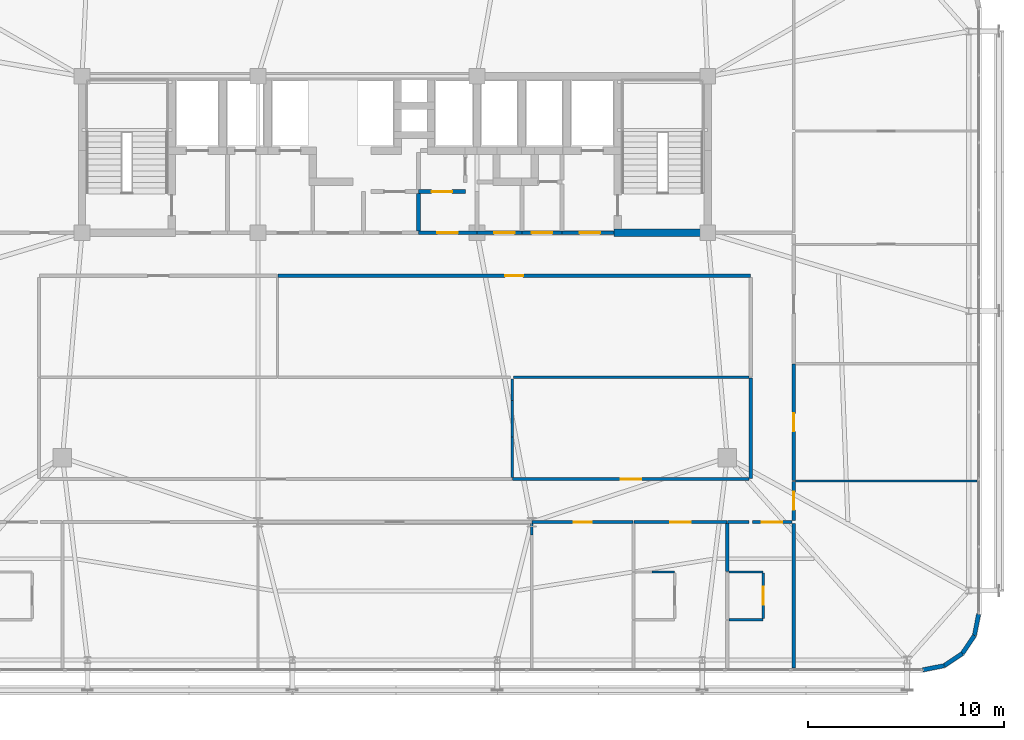
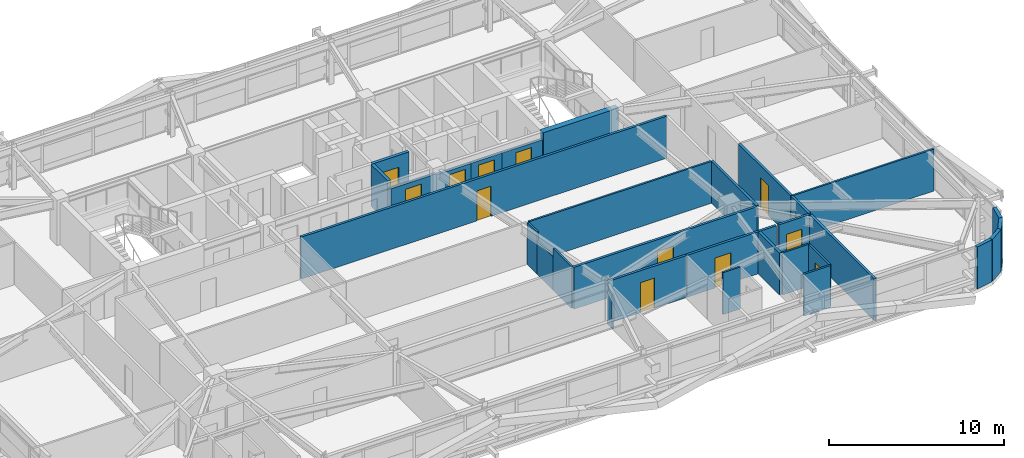
# One storey, part 54 of 59: 32 walls, 13 doors, 13 openings.
"""IFC4 building model written with IfcOpenShell, lengths in metres."""

from ifc_helpers import new_model, si_unit, direction, frame, frame_2d, origin, place, context, subcontext, project, spatial, rectangle, extrude, source, transform, mapped, material, layer, layer_set, type_object, element, fill, save


model = new_model("IFC4")

# Units and contexts
model_context = context("Model", 3, precision=1e-05, world=origin(), true_north=direction((0.0, 1.0)))
body_context = subcontext(model_context, "Body", "Model", "MODEL_VIEW")
ifc_project = project(units=[si_unit("LENGTHUNIT", "METRE"), si_unit("AREAUNIT", "SQUARE_METRE"), si_unit("VOLUMEUNIT", "CUBIC_METRE"), si_unit("PLANEANGLEUNIT", "RADIAN"), si_unit("MASSUNIT", "GRAM", prefix="KILO")], contexts=[model_context])

# Site, building, storey
site_placement = place(None, origin())
site = spatial("IfcSite", under=ifc_project, at=site_placement, CompositionType="ELEMENT")
building_placement = place(site_placement, origin())
building = spatial("IfcBuilding", under=site, at=building_placement, Name="Taldren Reach Tower", CompositionType="ELEMENT")
storey_placement = place(building_placement, frame((0.0, 0.0, 26.25)))
storey = spatial("IfcBuildingStorey", under=building, at=storey_placement, Name="L07", CompositionType="ELEMENT", Elevation=26.25)

# Walls
ifc_material_1 = material(Name="Pale Champagne Anodised Aluminium Cladding", Category="aluminium")
ifc_layer_1 = layer(ifc_material_1, 0.04, Name="Pale Champagne Anodised Aluminium Cladding", Category="aluminium")
ifc_material_2 = material(Name="Mineral Wool Acoustic Insulation", Category="insulation")
ifc_layer_2 = layer(ifc_material_2, 0.06, Name="Mineral Wool Acoustic Insulation", Category="insulation")
ifc_material_3 = material(Name="Steel Gr 350 (C350L0)", Category="steel")
ifc_layer_3 = layer(ifc_material_3, 0.12, Name="Steel Gr 350 (C350L0)", Category="steel")
ifc_layer_set_1 = layer_set([ifc_layer_1, ifc_layer_2, ifc_layer_3], Name="Pale Champagne Aluminium Cladding and Steel Gr 350 Stud Framing")
wall_type_1 = type_object("IfcWallType", Name="EW-CRN-220", PredefinedType="SOLIDWALL", material=ifc_layer_set_1)
shared_shape_1 = source(origin(), body_context, "Body", "SweptSolid", [
    extrude(rectangle(XDim=1.115966796875, YDim=0.219970703125, at=frame_2d((0.55810546875, 0.0))), origin(), (0.0, 0.0, 1.0), 2.929931640625),
])
for number, where, z_axis, x_axis, name in (
    (1, (62.0, 1.639892578125, 0.0), (0.0, 0.0, 1.0), (0.98077373103, 0.195148375659, 0.0), "Rounded-corner pale-metal facade wall L07-SE1"),
    (2, (63.094482421875, 1.857666015625, 0.0), (0.0, 0.0, 1.0), (0.83137650226, 0.555709556774, 0.0), "Rounded-corner pale-metal facade wall L07-SE2"),
    (3, (64.022216796875, 2.477783203125, 0.0), (0.0, 0.0, 1.0), (0.555709556774, 0.83137650226, 0.0), "Rounded-corner pale-metal facade wall L07-SE3"),
    (4, (64.642333984375, 3.405517578125, 0.0), (0.0, 0.0, 1.0), (0.195148375659, 0.98077373103, 0.0), "Rounded-corner pale-metal facade wall L07-SE4"),
):
    element("IfcWall", number, at=place(storey_placement, frame(where, z_axis=z_axis, x_axis=x_axis)), inside=storey, type_object=wall_type_1, Name=name, PredefinedType="SOLIDWALL", context=body_context, shape_type="MappedRepresentation", body=[
        mapped(shared_shape_1, transform((0.0, 0.0, 0.0), scale=1.0)),
    ])
ifc_material_4 = material(Name="Concrete S80 (80 MPa)", Category="concrete")
ifc_layer_4 = layer(ifc_material_4, 0.3798828125)
ifc_layer_set_2 = layer_set([ifc_layer_4], Name="Concrete S80 (80 MPa)")
wall_type_2 = type_object("IfcWallType", Name="IW-CORE-380", PredefinedType="SHEAR", material=ifc_layer_set_2)
shared_shape_2 = source(origin(), body_context, "Body", "SweptSolid", [
    extrude(rectangle(XDim=4.97998046875, YDim=0.3798828125, at=frame_2d((2.489990234375, 0.0))), origin(), (0.0, 0.0, 1.0), 2.929931640625),
])
wall_1_placement = place(storey_placement, frame((46.2099609375, 24.0, 0.0), z_axis=(0.0, 0.0, 1.0), x_axis=(1.0, 0.0, 0.0)))
element("IfcWall", 5, at=wall_1_placement, inside=storey, type_object=wall_type_2, Name="Rear Core Shear Wall W-INT-L07-010", PredefinedType="SHEAR", context=body_context, shape_type="MappedRepresentation", body=[
    mapped(shared_shape_2, transform((0.0, 0.0, 0.0), scale=1.0)),
])

# Wall, opening, door
ifc_material_5 = material(Name="Concrete S50 (50 MPa)", Category="concrete")
ifc_layer_5 = layer(ifc_material_5, 0.199951171875)
ifc_layer_set_3 = layer_set([ifc_layer_5], Name="Concrete S50 (50 MPa)")
wall_type_3 = type_object("IfcWallType", Name="IW-CORE-200", PredefinedType="SOLIDWALL", material=ifc_layer_set_3)
shared_shape_3 = source(origin(), body_context, "Body", "SweptSolid", [
    extrude(rectangle(XDim=2.659912109375, YDim=0.199951171875, at=frame_2d((1.330078125, 0.0))), origin(), (0.0, 0.0, 1.0), 2.39697265625),
])
wall_2_placement = place(storey_placement, frame((43.550048828125, 24.0, 0.0), z_axis=(0.0, 0.0, 1.0), x_axis=(1.0, 0.0, 0.0)))
wall_2 = element("IfcWall", 6, at=wall_2_placement, inside=storey, type_object=wall_type_3, Name="Rear Core Shear Wall W-INT-L07-015", PredefinedType="SOLIDWALL", context=body_context, shape_type="MappedRepresentation", body=[
    mapped(shared_shape_3, transform((0.0, 0.0, 0.0), scale=1.0)),
])
shared_shape_4 = source(origin(), body_context, "Body", "SweptSolid", [
    extrude(rectangle(XDim=1.050048828125, YDim=2.10009765625, at=frame_2d((0.52490234375, 1.050048828125))), frame((0.0, 0.10986328125, 0.0), z_axis=(0.0, -1.0, 0.0), x_axis=(1.0, 0.0, 0.0)), (0.0, 0.0, 1.0), 0.219970703125),
])
opening_1_placement = place(wall_2_placement, frame((0.89990234375, 0.0, 0.0)))
opening_1 = element("IfcOpeningElement", 7, at=opening_1_placement, cuts=wall_2, Name="Opening DF-105", PredefinedType="OPENING", context=body_context, shape_type="MappedRepresentation", body=[
    mapped(shared_shape_4, transform((0.0, 0.0, 0.0), scale=1.0)),
])
ifc_material_6 = material(Name="Fire-Rated Care and Stair Exit Door")
door_type_1 = type_object("IfcDoorType", Name="ID-FIRE-105", OperationType="NOTDEFINED", PredefinedType="DOOR", material=ifc_material_6)
shared_shape_5 = source(origin(), body_context, "Body", "SweptSolid", [
    extrude(rectangle(XDim=1.050048828125, YDim=2.10009765625, at=frame_2d((0.52490234375, 1.050048828125))), frame((0.0, 0.02490234375, 0.0), z_axis=(0.0, -1.0, 0.0), x_axis=(1.0, 0.0, 0.0)), (0.0, 0.0, 1.0), 0.050048828125),
])
door_1_placement = place(opening_1_placement, origin())
door_1 = element("IfcDoor", 8, at=door_1_placement, inside=storey, type_object=door_type_1, Name="Interior Door DR-L07-004", OperationType="SINGLE_SWING_LEFT", OverallHeight=2.10009765625, OverallWidth=1.050048828125, PredefinedType="DOOR", context=body_context, shape_type="MappedRepresentation", body=[
    mapped(shared_shape_5, transform((0.0, 0.0, 0.0), scale=1.0)),
])
fill(opening_1, door_1)

ifc_material_7 = material(Name="Fire-Rated Acoustic Plasterboard Stud Wall", Category="gypsum")
ifc_layer_6 = layer(ifc_material_7, 0.159912109375)
ifc_layer_set_4 = layer_set([ifc_layer_6], Name="Fire-Rated Acoustic Plasterboard Stud Wall")
wall_type_4 = type_object("IfcWallType", Name="IW-FIRE-160", PredefinedType="PARTITIONING", material=ifc_layer_set_4)
shared_shape_6 = source(origin(), body_context, "Body", "SweptSolid", [
    extrude(rectangle(XDim=2.0400390625, YDim=0.159912109375, at=frame_2d((1.02001953125, 0.0))), origin(), (0.0, 0.0, 1.0), 2.929931640625),
])
wall_3_placement = place(storey_placement, frame((55.320068359375, 9.199951171875, 0.0), z_axis=(0.0, 0.0, 1.0), x_axis=(-1.0, 0.0, 0.0)))
wall_3 = element("IfcWall", 9, at=wall_3_placement, inside=storey, type_object=wall_type_4, Name="Interior Partition Wall W-INT-L07-067", PredefinedType="PARTITIONING", context=body_context, shape_type="MappedRepresentation", body=[
    mapped(shared_shape_6, transform((0.0, 0.0, 0.0), scale=1.0)),
])
shared_shape_7 = source(origin(), body_context, "Body", "SweptSolid", [
    extrude(rectangle(XDim=1.050048828125, YDim=2.10009765625, at=frame_2d((0.52490234375, 1.050048828125))), frame((0.0, 0.08984375, 0.0), z_axis=(0.0, -1.0, 0.0), x_axis=(1.0, 0.0, 0.0)), (0.0, 0.0, 1.0), 0.179931640625),
])
opening_2_placement = place(wall_3_placement, frame((0.4951171875, 0.0, 0.0)))
opening_2 = element("IfcOpeningElement", 10, at=opening_2_placement, cuts=wall_3, Name="Opening DF-105", PredefinedType="OPENING", context=body_context, shape_type="MappedRepresentation", body=[
    mapped(shared_shape_7, transform((0.0, 0.0, 0.0), scale=1.0)),
])
door_2_placement = place(opening_2_placement, origin())
door_2 = element("IfcDoor", 11, at=door_2_placement, inside=storey, type_object=door_type_1, Name="Interior Door DR-L07-017", OperationType="SINGLE_SWING_RIGHT", OverallHeight=2.10009765625, OverallWidth=1.050048828125, PredefinedType="DOOR", context=body_context, shape_type="MappedRepresentation", body=[
    mapped(shared_shape_5, transform((0.0, 0.0, 0.0), scale=1.0)),
])
fill(opening_2, door_2)

# Walls
shared_shape_8 = source(origin(), body_context, "Body", "SweptSolid", [
    extrude(rectangle(XDim=5.15966796875, YDim=0.159912109375, at=frame_2d((2.579833984375, 0.0))), origin(), (0.0, 0.0, 1.0), 2.929931640625),
])
wall_4_placement = place(storey_placement, frame((53.199951171875, 11.420166015625, 0.0), z_axis=(0.0, 0.0, 1.0), x_axis=(0.0, 1.0, 0.0)))
element("IfcWall", 12, at=wall_4_placement, inside=storey, type_object=wall_type_4, Name="Interior Partition Wall W-INT-L07-061", PredefinedType="PARTITIONING", context=body_context, shape_type="MappedRepresentation", body=[
    mapped(shared_shape_8, transform((0.0, 0.0, 0.0), scale=1.0)),
])
shared_shape_9 = source(origin(), body_context, "Body", "SweptSolid", [
    extrude(rectangle(XDim=1.099853515625, YDim=0.159912109375, at=frame_2d((0.5498046875, 0.0))), origin(), (0.0, 0.0, 1.0), 2.929931640625),
])
wall_5_placement = place(storey_placement, frame((53.1201171875, 9.199951171875, 0.0), z_axis=(0.0, 0.0, 1.0), x_axis=(-1.0, 0.0, 0.0)))
element("IfcWall", 13, at=wall_5_placement, inside=storey, type_object=wall_type_4, Name="Interior Partition Wall W-INT-L07-084", PredefinedType="PARTITIONING", context=body_context, shape_type="MappedRepresentation", body=[
    mapped(shared_shape_9, transform((0.0, 0.0, 0.0), scale=1.0)),
])

# Wall, opening, door
shared_shape_10 = source(origin(), body_context, "Body", "SweptSolid", [
    extrude(rectangle(XDim=4.759521484375, YDim=0.159912109375, at=frame_2d((2.3798828125, 0.0))), origin(), (0.0, 0.0, 1.0), 2.929931640625),
])
wall_6_placement = place(storey_placement, frame((51.979736328125, 9.199951171875, 0.0), z_axis=(0.0, 0.0, 1.0), x_axis=(-1.0, 0.0, 0.0)))
wall_6 = element("IfcWall", 14, at=wall_6_placement, inside=storey, type_object=wall_type_4, Name="Interior Partition Wall W-INT-L07-083", PredefinedType="PARTITIONING", context=body_context, shape_type="MappedRepresentation", body=[
    mapped(shared_shape_10, transform((0.0, 0.0, 0.0), scale=1.0)),
])
opening_3_placement = place(wall_6_placement, frame((1.854736328125, 0.0, 0.0)))
opening_3 = element("IfcOpeningElement", 15, at=opening_3_placement, cuts=wall_6, Name="Opening DF-105", PredefinedType="OPENING", context=body_context, shape_type="MappedRepresentation", body=[
    mapped(shared_shape_7, transform((0.0, 0.0, 0.0), scale=1.0)),
])
door_3_placement = place(opening_3_placement, origin())
door_3 = element("IfcDoor", 16, at=door_3_placement, inside=storey, type_object=door_type_1, Name="Interior Door DR-L07-030", OperationType="SINGLE_SWING_LEFT", OverallHeight=2.10009765625, OverallWidth=1.050048828125, PredefinedType="DOOR", context=body_context, shape_type="MappedRepresentation", body=[
    mapped(shared_shape_5, transform((0.0, 0.0, 0.0), scale=1.0)),
])
fill(opening_3, door_3)

shared_shape_11 = source(origin(), body_context, "Body", "SweptSolid", [
    extrude(rectangle(XDim=5.159423828125, YDim=0.159912109375, at=frame_2d((2.57958984375, 0.0))), origin(), (0.0, 0.0, 1.0), 2.929931640625),
])
wall_7_placement = place(storey_placement, frame((47.1796875, 9.199951171875, 0.0), z_axis=(0.0, 0.0, 1.0), x_axis=(-1.0, 0.0, 0.0)))
wall_7 = element("IfcWall", 17, at=wall_7_placement, inside=storey, type_object=wall_type_4, Name="Interior Partition Wall W-INT-L07-082", PredefinedType="PARTITIONING", context=body_context, shape_type="MappedRepresentation", body=[
    mapped(shared_shape_11, transform((0.0, 0.0, 0.0), scale=1.0)),
])
shared_shape_12 = source(origin(), body_context, "Body", "SweptSolid", [
    extrude(rectangle(XDim=0.919921875, YDim=2.10009765625, at=frame_2d((0.4599609375, 1.050048828125))), frame((0.0, 0.08984375, 0.0), z_axis=(0.0, -1.0, 0.0), x_axis=(1.0, 0.0, 0.0)), (0.0, 0.0, 1.0), 0.179931640625),
])
opening_4_placement = place(wall_7_placement, frame((2.119873046875, 0.0, 0.0)))
opening_4 = element("IfcOpeningElement", 18, at=opening_4_placement, cuts=wall_7, Name="Opening DI-092", PredefinedType="OPENING", context=body_context, shape_type="MappedRepresentation", body=[
    mapped(shared_shape_12, transform((0.0, 0.0, 0.0), scale=1.0)),
])
ifc_material_8 = material(Name="Solid-Core Timber Suite Door", Category="wood")
door_type_2 = type_object("IfcDoorType", Name="ID-INT-092", OperationType="NOTDEFINED", PredefinedType="DOOR", material=ifc_material_8)
shared_shape_13 = source(origin(), body_context, "Body", "SweptSolid", [
    extrude(rectangle(XDim=0.919921875, YDim=2.10009765625, at=frame_2d((0.4599609375, 1.050048828125))), frame((0.0, 0.02490234375, 0.0), z_axis=(0.0, -1.0, 0.0), x_axis=(1.0, 0.0, 0.0)), (0.0, 0.0, 1.0), 0.050048828125),
])
door_4_placement = place(opening_4_placement, origin())
door_4 = element("IfcDoor", 19, at=door_4_placement, inside=storey, type_object=door_type_2, Name="Interior Door DR-L07-029", OperationType="SINGLE_SWING_RIGHT", OverallHeight=2.10009765625, OverallWidth=0.919921875, PredefinedType="DOOR", context=body_context, shape_type="MappedRepresentation", body=[
    mapped(shared_shape_13, transform((0.0, 0.0, 0.0), scale=1.0)),
])
fill(opening_4, door_4)

ifc_material_9 = material(Name="Insulated Residential Stud Partition", Category="gypsum")
ifc_layer_7 = layer(ifc_material_9, 0.1201171875)
ifc_layer_set_5 = layer_set([ifc_layer_7], Name="Insulated Residential Stud Partition")
wall_type_5 = type_object("IfcWallType", Name="IW-PART-120", PredefinedType="PARTITIONING", material=ifc_layer_set_5)
shared_shape_14 = source(origin(), body_context, "Body", "SweptSolid", [
    extrude(rectangle(XDim=2.330078125, YDim=0.1201171875, at=frame_2d((1.1650390625, 0.0))), origin(), (0.0, 0.0, 1.0), 2.929931640625),
])
wall_8_placement = place(storey_placement, frame((53.85009765625, 4.260009765625, 0.0), z_axis=(0.0, 0.0, 1.0), x_axis=(0.0, 1.0, 0.0)))
wall_8 = element("IfcWall", 20, at=wall_8_placement, inside=storey, type_object=wall_type_5, Name="Interior Partition Wall W-INT-L07-108", PredefinedType="PARTITIONING", context=body_context, shape_type="MappedRepresentation", body=[
    mapped(shared_shape_14, transform((0.0, 0.0, 0.0), scale=1.0)),
])
shared_shape_15 = source(origin(), body_context, "Body", "SweptSolid", [
    extrude(rectangle(XDim=0.919921875, YDim=2.10009765625, at=frame_2d((0.4599609375, 1.050048828125))), frame((0.0, 0.070068359375, 0.0), z_axis=(0.0, -1.0, 0.0), x_axis=(1.0, 0.0, 0.0)), (0.0, 0.0, 1.0), 0.14013671875),
])
opening_5_placement = place(wall_8_placement, frame((0.705078125, 0.0, 0.0)))
opening_5 = element("IfcOpeningElement", 21, at=opening_5_placement, cuts=wall_8, Name="Opening DI-092", PredefinedType="OPENING", context=body_context, shape_type="MappedRepresentation", body=[
    mapped(shared_shape_15, transform((0.0, 0.0, 0.0), scale=1.0)),
])
door_5_placement = place(opening_5_placement, origin())
door_5 = element("IfcDoor", 22, at=door_5_placement, inside=storey, type_object=door_type_2, Name="Interior Door DR-L07-033", OperationType="SINGLE_SWING_RIGHT", OverallHeight=2.10009765625, OverallWidth=0.919921875, PredefinedType="DOOR", context=body_context, shape_type="MappedRepresentation", body=[
    mapped(shared_shape_13, transform((0.0, 0.0, 0.0), scale=1.0)),
])
fill(opening_5, door_5)

# Walls
shared_shape_16 = source(origin(), body_context, "Body", "SweptSolid", [
    extrude(rectangle(XDim=1.749755859375, YDim=0.1201171875, at=frame_2d((0.875, 0.0))), origin(), (0.0, 0.0, 1.0), 2.929931640625),
])
for number, where, z_axis, x_axis, name in (
    (23, (52.080078125, 4.199951171875, 0.0), (0.0, 0.0, 1.0), (1.0, 0.0, 0.0), "Interior Partition Wall W-INT-L07-109"),
    (24, (53.829833984375, 6.64990234375, 0.0), (0.0, 0.0, 1.0), (-1.0, 0.0, 0.0), "Interior Partition Wall W-INT-L07-110"),
):
    element("IfcWall", number, at=place(storey_placement, frame(where, z_axis=z_axis, x_axis=x_axis)), inside=storey, type_object=wall_type_5, Name=name, PredefinedType="PARTITIONING", context=body_context, shape_type="MappedRepresentation", body=[
        mapped(shared_shape_16, transform((0.0, 0.0, 0.0), scale=1.0)),
    ])
shared_shape_17 = source(origin(), body_context, "Body", "SweptSolid", [
    extrude(rectangle(XDim=2.44775390625, YDim=0.159912109375, at=frame_2d((1.223876953125, 0.0))), origin(), (0.0, 0.0, 1.0), 2.929931640625),
])
wall_9_placement = place(storey_placement, frame((52.0, 9.117919921875, 0.0), z_axis=(0.0, 0.0, 1.0), x_axis=(0.0, -1.0, 0.0)))
element("IfcWall", 25, at=wall_9_placement, inside=storey, type_object=wall_type_4, Name="Interior Partition Wall W-INT-L07-106", PredefinedType="PARTITIONING", context=body_context, shape_type="MappedRepresentation", body=[
    mapped(shared_shape_17, transform((0.0, 0.0, 0.0), scale=1.0)),
])
shared_shape_18 = source(origin(), body_context, "Body", "SweptSolid", [
    extrude(rectangle(XDim=7.385986328125, YDim=0.159912109375, at=frame_2d((3.69287109375, 0.0))), origin(), (0.0, 0.0, 1.0), 2.929931640625),
])
wall_10_placement = place(storey_placement, frame((55.39990234375, 9.117919921875, 0.0), z_axis=(0.0, 0.0, 1.0), x_axis=(0.0, -1.0, 0.0)))
element("IfcWall", 26, at=wall_10_placement, inside=storey, type_object=wall_type_4, Name="Interior Partition Wall W-INT-L07-111", PredefinedType="PARTITIONING", context=body_context, shape_type="MappedRepresentation", body=[
    mapped(shared_shape_18, transform((0.0, 0.0, 0.0), scale=1.0)),
])
shared_shape_19 = source(origin(), body_context, "Body", "SweptSolid", [
    extrude(rectangle(XDim=9.2900390625, YDim=0.1201171875, at=frame_2d((4.64501953125, 0.0))), origin(), (0.0, 0.0, 1.0), 2.929931640625),
])
wall_11_placement = place(storey_placement, frame((55.47998046875, 11.300048828125, 0.0), z_axis=(0.0, 0.0, 1.0), x_axis=(1.0, 0.0, 0.0)))
element("IfcWall", 27, at=wall_11_placement, inside=storey, type_object=wall_type_5, Name="Interior Partition Wall W-INT-L07-117", PredefinedType="PARTITIONING", context=body_context, shape_type="MappedRepresentation", body=[
    mapped(shared_shape_19, transform((0.0, 0.0, 0.0), scale=1.0)),
])
shared_shape_20 = source(origin(), body_context, "Body", "SweptSolid", [
    extrude(rectangle(XDim=1.89990234375, YDim=0.199951171875, at=frame_2d((0.949951171875, 0.0))), origin(), (0.0, 0.0, 1.0), 2.929931640625),
])
wall_12_placement = place(storey_placement, frame((36.199951171875, 26.0, 0.0), z_axis=(0.0, 0.0, 1.0), x_axis=(0.0, -1.0, 0.0)))
element("IfcWall", 28, at=wall_12_placement, inside=storey, type_object=wall_type_3, Name="Rear Core Shear Wall W-INT-L07-047", PredefinedType="SOLIDWALL", context=body_context, shape_type="MappedRepresentation", body=[
    mapped(shared_shape_20, transform((0.0, 0.0, 0.0), scale=1.0)),
])

# Wall, opening, door
shared_shape_21 = source(origin(), body_context, "Body", "SweptSolid", [
    extrude(rectangle(XDim=2.420166015625, YDim=0.199951171875, at=frame_2d((1.2099609375, 0.0))), origin(), (0.0, 0.0, 1.0), 2.929931640625),
])
wall_13_placement = place(storey_placement, frame((36.199951171875, 26.10009765625, 0.0), z_axis=(0.0, 0.0, 1.0), x_axis=(1.0, 0.0, 0.0)))
wall_13 = element("IfcWall", 29, at=wall_13_placement, inside=storey, type_object=wall_type_3, Name="Rear Core Shear Wall W-INT-L07-051", PredefinedType="SOLIDWALL", context=body_context, shape_type="MappedRepresentation", body=[
    mapped(shared_shape_21, transform((0.0, 0.0, 0.0), scale=1.0)),
])
opening_6_placement = place(wall_13_placement, frame((0.68505859375, 0.0, 0.0)))
opening_6 = element("IfcOpeningElement", 30, at=opening_6_placement, cuts=wall_13, Name="Opening DF-105", PredefinedType="OPENING", context=body_context, shape_type="MappedRepresentation", body=[
    mapped(shared_shape_4, transform((0.0, 0.0, 0.0), scale=1.0)),
])
door_6_placement = place(opening_6_placement, origin())
door_6 = element("IfcDoor", 31, at=door_6_placement, inside=storey, type_object=door_type_1, Name="Interior Door DR-L07-009", OperationType="SINGLE_SWING_RIGHT", OverallHeight=2.10009765625, OverallWidth=1.050048828125, PredefinedType="DOOR", context=body_context, shape_type="MappedRepresentation", body=[
    mapped(shared_shape_5, transform((0.0, 0.0, 0.0), scale=1.0)),
])
fill(opening_6, door_6)

shared_shape_22 = source(origin(), body_context, "Body", "SweptSolid", [
    extrude(rectangle(XDim=3.0, YDim=0.199951171875, at=frame_2d((1.5, 0.0))), origin(), (0.0, 0.0, 1.0), 2.469970703125),
])
wall_14_placement = place(storey_placement, frame((39.199951171875, 24.0, 0.0), z_axis=(0.0, 0.0, 1.0), x_axis=(-1.0, 0.0, 0.0)))
wall_14 = element("IfcWall", 32, at=wall_14_placement, inside=storey, type_object=wall_type_3, Name="Rear Core Shear Wall W-INT-L07-053", PredefinedType="SOLIDWALL", context=body_context, shape_type="MappedRepresentation", body=[
    mapped(shared_shape_22, transform((0.0, 0.0, 0.0), scale=1.0)),
])
opening_7_placement = place(wall_14_placement, frame((0.97509765625, 0.0, 0.0)))
opening_7 = element("IfcOpeningElement", 33, at=opening_7_placement, cuts=wall_14, Name="Opening DF-105", PredefinedType="OPENING", context=body_context, shape_type="MappedRepresentation", body=[
    mapped(shared_shape_4, transform((0.0, 0.0, 0.0), scale=1.0)),
])
door_7_placement = place(opening_7_placement, frame((1.050048828125, 0.0, 0.0), z_axis=(0.0, 0.0, 1.0), x_axis=(-1.0, 0.0, 0.0)))
door_7 = element("IfcDoor", 34, at=door_7_placement, inside=storey, type_object=door_type_1, Name="Interior Door DR-L07-010", OperationType="SINGLE_SWING_RIGHT", OverallHeight=2.10009765625, OverallWidth=1.050048828125, PredefinedType="DOOR", context=body_context, shape_type="MappedRepresentation", body=[
    mapped(shared_shape_5, transform((0.0, 0.0, 0.0), scale=1.0)),
])
fill(opening_7, door_7)

shared_shape_23 = source(origin(), body_context, "Body", "SweptSolid", [
    extrude(rectangle(XDim=2.300048828125, YDim=0.199951171875, at=frame_2d((1.14990234375, 0.0))), origin(), (0.0, 0.0, 1.0), 2.39697265625),
])
wall_15_placement = place(storey_placement, frame((41.5, 24.0, 0.0), z_axis=(0.0, 0.0, 1.0), x_axis=(-1.0, 0.0, 0.0)))
wall_15 = element("IfcWall", 35, at=wall_15_placement, inside=storey, type_object=wall_type_3, Name="Rear Core Shear Wall W-INT-L07-057", PredefinedType="SOLIDWALL", context=body_context, shape_type="MappedRepresentation", body=[
    mapped(shared_shape_23, transform((0.0, 0.0, 0.0), scale=1.0)),
])
opening_8_placement = place(wall_15_placement, frame((0.375, 0.0, 0.0)))
opening_8 = element("IfcOpeningElement", 36, at=opening_8_placement, cuts=wall_15, Name="Opening DF-105", PredefinedType="OPENING", context=body_context, shape_type="MappedRepresentation", body=[
    mapped(shared_shape_4, transform((0.0, 0.0, 0.0), scale=1.0)),
])
door_8_placement = place(opening_8_placement, frame((1.050048828125, 0.0, 0.0), z_axis=(0.0, 0.0, 1.0), x_axis=(-1.0, 0.0, 0.0)))
door_8 = element("IfcDoor", 37, at=door_8_placement, inside=storey, type_object=door_type_1, Name="Interior Door DR-L07-011", OperationType="SINGLE_SWING_RIGHT", OverallHeight=2.10009765625, OverallWidth=1.050048828125, PredefinedType="DOOR", context=body_context, shape_type="MappedRepresentation", body=[
    mapped(shared_shape_5, transform((0.0, 0.0, 0.0), scale=1.0)),
])
fill(opening_8, door_8)

shared_shape_24 = source(origin(), body_context, "Body", "SweptSolid", [
    extrude(rectangle(XDim=2.050048828125, YDim=0.199951171875, at=frame_2d((1.02490234375, 0.0))), origin(), (0.0, 0.0, 1.0), 2.39697265625),
])
wall_16_placement = place(storey_placement, frame((43.550048828125, 24.0, 0.0), z_axis=(0.0, 0.0, 1.0), x_axis=(-1.0, 0.0, 0.0)))
wall_16 = element("IfcWall", 38, at=wall_16_placement, inside=storey, type_object=wall_type_3, Name="Rear Core Shear Wall W-INT-L07-059", PredefinedType="SOLIDWALL", context=body_context, shape_type="MappedRepresentation", body=[
    mapped(shared_shape_24, transform((0.0, 0.0, 0.0), scale=1.0)),
])
opening_9_placement = place(wall_16_placement, frame((0.5, 0.0, 0.0)))
opening_9 = element("IfcOpeningElement", 39, at=opening_9_placement, cuts=wall_16, Name="Opening DF-105", PredefinedType="OPENING", context=body_context, shape_type="MappedRepresentation", body=[
    mapped(shared_shape_4, transform((0.0, 0.0, 0.0), scale=1.0)),
])
door_9_placement = place(opening_9_placement, frame((1.050048828125, 0.0, 0.0), z_axis=(0.0, 0.0, 1.0), x_axis=(-1.0, 0.0, 0.0)))
door_9 = element("IfcDoor", 40, at=door_9_placement, inside=storey, type_object=door_type_1, Name="Interior Door DR-L07-013", OperationType="SINGLE_SWING_LEFT", OverallHeight=2.10009765625, OverallWidth=1.050048828125, PredefinedType="DOOR", context=body_context, shape_type="MappedRepresentation", body=[
    mapped(shared_shape_5, transform((0.0, 0.0, 0.0), scale=1.0)),
])
fill(opening_9, door_9)

shared_shape_25 = source(origin(), body_context, "Body", "SweptSolid", [
    extrude(rectangle(XDim=24.159423828125, YDim=0.159912109375, at=frame_2d((12.07958984375, 0.0))), origin(), (0.0, 0.0, 1.0), 2.929931640625),
])
wall_17_placement = place(storey_placement, frame((53.1796875, 21.800048828125, 0.0), z_axis=(0.0, 0.0, 1.0), x_axis=(-1.0, 0.0, 0.0)))
wall_17 = element("IfcWall", 41, at=wall_17_placement, inside=storey, type_object=wall_type_4, Name="Interior Partition Wall W-INT-L07-064", PredefinedType="PARTITIONING", context=body_context, shape_type="MappedRepresentation", body=[
    mapped(shared_shape_25, transform((0.0, 0.0, 0.0), scale=1.0)),
])
opening_10_placement = place(wall_17_placement, frame((11.619873046875, 0.0, 0.0)))
opening_10 = element("IfcOpeningElement", 42, at=opening_10_placement, cuts=wall_17, Name="Opening DI-092", PredefinedType="OPENING", context=body_context, shape_type="MappedRepresentation", body=[
    mapped(shared_shape_12, transform((0.0, 0.0, 0.0), scale=1.0)),
])
door_10_placement = place(opening_10_placement, origin())
door_10 = element("IfcDoor", 43, at=door_10_placement, inside=storey, type_object=door_type_2, Name="Interior Door DR-L07-015", OperationType="SINGLE_SWING_RIGHT", OverallHeight=2.10009765625, OverallWidth=0.919921875, PredefinedType="DOOR", context=body_context, shape_type="MappedRepresentation", body=[
    mapped(shared_shape_13, transform((0.0, 0.0, 0.0), scale=1.0)),
])
fill(opening_10, door_10)

shared_shape_26 = source(origin(), body_context, "Body", "SweptSolid", [
    extrude(rectangle(XDim=1.999755859375, YDim=0.159912109375, at=frame_2d((1.0, 0.0))), origin(), (0.0, 0.0, 1.0), 2.929931640625),
])
wall_18_placement = place(storey_placement, frame((55.39990234375, 11.27978515625, 0.0), z_axis=(0.0, 0.0, 1.0), x_axis=(0.0, -1.0, 0.0)))
wall_18 = element("IfcWall", 44, at=wall_18_placement, inside=storey, type_object=wall_type_4, Name="Interior Partition Wall W-INT-L07-071", PredefinedType="PARTITIONING", context=body_context, shape_type="MappedRepresentation", body=[
    mapped(shared_shape_26, transform((0.0, 0.0, 0.0), scale=1.0)),
])
opening_11_placement = place(wall_18_placement, frame((0.539794921875, 0.0, 0.0)))
opening_11 = element("IfcOpeningElement", 45, at=opening_11_placement, cuts=wall_18, Name="Opening DI-092", PredefinedType="OPENING", context=body_context, shape_type="MappedRepresentation", body=[
    mapped(shared_shape_12, transform((0.0, 0.0, 0.0), scale=1.0)),
])
door_11_placement = place(opening_11_placement, origin())
door_11 = element("IfcDoor", 46, at=door_11_placement, inside=storey, type_object=door_type_2, Name="Interior Door DR-L07-021", OperationType="SINGLE_SWING_RIGHT", OverallHeight=2.10009765625, OverallWidth=0.919921875, PredefinedType="DOOR", context=body_context, shape_type="MappedRepresentation", body=[
    mapped(shared_shape_13, transform((0.0, 0.0, 0.0), scale=1.0)),
])
fill(opening_11, door_11)

shared_shape_27 = source(origin(), body_context, "Body", "SweptSolid", [
    extrude(rectangle(XDim=5.95947265625, YDim=0.159912109375, at=frame_2d((2.979736328125, 0.0))), origin(), (0.0, 0.0, 1.0), 2.929931640625),
])
wall_19_placement = place(storey_placement, frame((55.39990234375, 17.27978515625, 0.0), z_axis=(0.0, 0.0, 1.0), x_axis=(0.0, -1.0, 0.0)))
wall_19 = element("IfcWall", 47, at=wall_19_placement, inside=storey, type_object=wall_type_4, Name="Interior Partition Wall W-INT-L07-072", PredefinedType="PARTITIONING", context=body_context, shape_type="MappedRepresentation", body=[
    mapped(shared_shape_27, transform((0.0, 0.0, 0.0), scale=1.0)),
])
opening_12_placement = place(wall_19_placement, frame((2.519775390625, 0.0, 0.0)))
opening_12 = element("IfcOpeningElement", 48, at=opening_12_placement, cuts=wall_19, Name="Opening DI-092", PredefinedType="OPENING", context=body_context, shape_type="MappedRepresentation", body=[
    mapped(shared_shape_12, transform((0.0, 0.0, 0.0), scale=1.0)),
])
door_12_placement = place(opening_12_placement, origin())
door_12 = element("IfcDoor", 49, at=door_12_placement, inside=storey, type_object=door_type_2, Name="Interior Door DR-L07-022", OperationType="SINGLE_SWING_LEFT", OverallHeight=2.10009765625, OverallWidth=0.919921875, PredefinedType="DOOR", context=body_context, shape_type="MappedRepresentation", body=[
    mapped(shared_shape_13, transform((0.0, 0.0, 0.0), scale=1.0)),
])
fill(opening_12, door_12)

shared_shape_28 = source(origin(), body_context, "Body", "SweptSolid", [
    extrude(rectangle(XDim=12.099853515625, YDim=0.159912109375, at=frame_2d((6.0498046875, 0.0))), origin(), (0.0, 0.0, 1.0), 2.929931640625),
])
wall_20_placement = place(storey_placement, frame((41.020263671875, 11.39990234375, 0.0), z_axis=(0.0, 0.0, 1.0), x_axis=(1.0, 0.0, 0.0)))
wall_20 = element("IfcWall", 50, at=wall_20_placement, inside=storey, type_object=wall_type_4, Name="Interior Partition Wall W-INT-L07-078", PredefinedType="PARTITIONING", context=body_context, shape_type="MappedRepresentation", body=[
    mapped(shared_shape_28, transform((0.0, 0.0, 0.0), scale=1.0)),
])
opening_13_placement = place(wall_20_placement, frame((5.52490234375, 0.0, 0.0)))
opening_13 = element("IfcOpeningElement", 51, at=opening_13_placement, cuts=wall_20, Name="Opening DF-105", PredefinedType="OPENING", context=body_context, shape_type="MappedRepresentation", body=[
    mapped(shared_shape_7, transform((0.0, 0.0, 0.0), scale=1.0)),
])
door_13_placement = place(opening_13_placement, origin())
door_13 = element("IfcDoor", 52, at=door_13_placement, inside=storey, type_object=door_type_1, Name="Interior Door DR-L07-026", OperationType="SINGLE_SWING_LEFT", OverallHeight=2.10009765625, OverallWidth=1.050048828125, PredefinedType="DOOR", context=body_context, shape_type="MappedRepresentation", body=[
    mapped(shared_shape_5, transform((0.0, 0.0, 0.0), scale=1.0)),
])
fill(opening_13, door_13)

# Walls
shared_shape_29 = source(origin(), body_context, "Body", "SweptSolid", [
    extrude(rectangle(XDim=1.10400390625, YDim=0.1201171875, at=frame_2d((0.552001953125, 0.0))), origin(), (0.0, 0.0, 1.0), 2.929931640625),
])
wall_21_placement = place(storey_placement, frame((41.0, 16.52001953125, 0.0), z_axis=(0.0, 0.0, 1.0), x_axis=(0.0, -1.0, 0.0)))
element("IfcWall", 53, at=wall_21_placement, inside=storey, type_object=wall_type_5, Name="Interior Partition Wall W-INT-L07-085", PredefinedType="PARTITIONING", context=body_context, shape_type="MappedRepresentation", body=[
    mapped(shared_shape_29, transform((0.0, 0.0, 0.0), scale=1.0)),
])
shared_shape_30 = source(origin(), body_context, "Body", "SweptSolid", [
    extrude(rectangle(XDim=1.860595703125, YDim=0.1201171875, at=frame_2d((0.93017578125, 0.0))), origin(), (0.0, 0.0, 1.0), 2.327880859375),
])
wall_22_placement = place(storey_placement, frame((41.0, 15.416015625, 0.0), z_axis=(0.0, 0.0, 1.0), x_axis=(0.0, -1.0, 0.0)))
element("IfcWall", 54, at=wall_22_placement, inside=storey, type_object=wall_type_5, Name="Interior Partition Wall W-INT-L07-085 part 2", PredefinedType="PARTITIONING", context=body_context, shape_type="MappedRepresentation", body=[
    mapped(shared_shape_30, transform((0.0, 0.0, 0.0), scale=1.0)),
])
shared_shape_31 = source(origin(), body_context, "Body", "SweptSolid", [
    extrude(rectangle(XDim=2.075439453125, YDim=0.1201171875, at=frame_2d((1.03759765625, 0.0))), origin(), (0.0, 0.0, 1.0), 2.929931640625),
])
wall_23_placement = place(storey_placement, frame((41.0, 13.555419921875, 0.0), z_axis=(0.0, 0.0, 1.0), x_axis=(0.0, -1.0, 0.0)))
element("IfcWall", 55, at=wall_23_placement, inside=storey, type_object=wall_type_5, Name="Interior Partition Wall W-INT-L07-085 part 3", PredefinedType="PARTITIONING", context=body_context, shape_type="MappedRepresentation", body=[
    mapped(shared_shape_31, transform((0.0, 0.0, 0.0), scale=1.0)),
])
shared_shape_32 = source(origin(), body_context, "Body", "SweptSolid", [
    extrude(rectangle(XDim=12.0400390625, YDim=0.1201171875, at=frame_2d((6.02001953125, 0.0))), origin(), (0.0, 0.0, 1.0), 2.929931640625),
])
wall_24_placement = place(storey_placement, frame((41.080078125, 16.60009765625, 0.0), z_axis=(0.0, 0.0, 1.0), x_axis=(1.0, 0.0, 0.0)))
element("IfcWall", 56, at=wall_24_placement, inside=storey, type_object=wall_type_5, Name="Interior Partition Wall W-INT-L07-088", PredefinedType="PARTITIONING", context=body_context, shape_type="MappedRepresentation", body=[
    mapped(shared_shape_32, transform((0.0, 0.0, 0.0), scale=1.0)),
])
shared_shape_33 = source(origin(), body_context, "Body", "SweptSolid", [
    extrude(rectangle(XDim=0.591796875, YDim=0.1201171875, at=frame_2d((0.2958984375, 0.0))), origin(), (0.0, 0.0, 1.0), 2.39697265625),
])
wall_25_placement = place(storey_placement, frame((42.0, 9.1201171875, 0.0), z_axis=(0.0, 0.0, 1.0), x_axis=(0.0, -1.0, 0.0)))
element("IfcWall", 57, at=wall_25_placement, inside=storey, type_object=wall_type_5, Name="Interior Partition Wall W-INT-L07-098", PredefinedType="PARTITIONING", context=body_context, shape_type="MappedRepresentation", body=[
    mapped(shared_shape_33, transform((0.0, 0.0, 0.0), scale=1.0)),
])
shared_shape_34 = source(origin(), body_context, "Body", "SweptSolid", [
    extrude(rectangle(XDim=1.148193359375, YDim=0.1201171875, at=frame_2d((0.57421875, 0.0))), origin(), (0.0, 0.0, 1.0), 2.929931640625),
])
wall_26_placement = place(storey_placement, frame((49.291748046875, 6.64990234375, 0.0), z_axis=(0.0, 0.0, 1.0), x_axis=(-1.0, 0.0, 0.0)))
element("IfcWall", 58, at=wall_26_placement, inside=storey, type_object=wall_type_5, Name="Interior Partition Wall W-INT-L07-104", PredefinedType="PARTITIONING", context=body_context, shape_type="MappedRepresentation", body=[
    mapped(shared_shape_34, transform((0.0, 0.0, 0.0), scale=1.0)),
])

save(model, "model.ifc")
